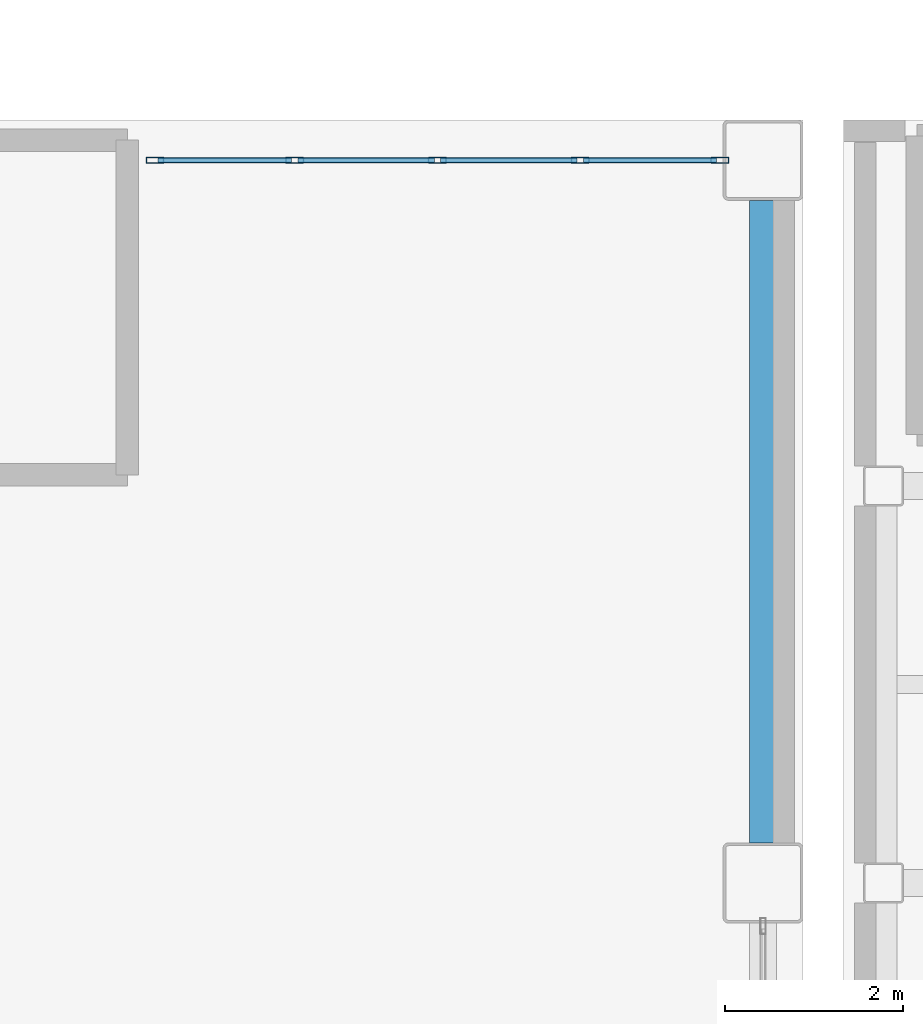
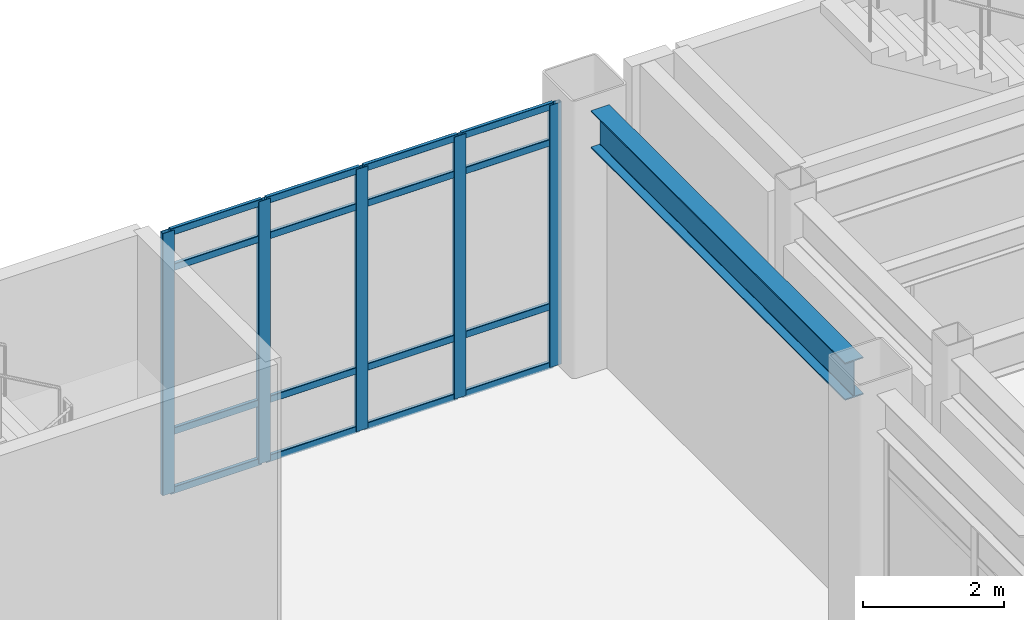
# One storey, part 73 of 172: 21 members, 1 beam, 1 element without a shape of its own.
"""IFC4 building model written with IfcOpenShell, lengths in metres."""

from ifc_helpers import new_model, si_unit, direction, frame, origin, origin_2d, place, context, subcontext, project, spatial, hollow_rectangle, i_section, extrude, material, layer, layer_set, material_profile, profile_set, type_object, element, aggregate, save


model = new_model("IFC4")

# Units and contexts
model_context = context("Model", 3, precision=1e-05, world=origin(), true_north=direction((0.0, 1.0)))
body_context = subcontext(model_context, "Body", "Model", "MODEL_VIEW")
ifc_project = project(units=[si_unit("LENGTHUNIT", "METRE"), si_unit("AREAUNIT", "SQUARE_METRE"), si_unit("VOLUMEUNIT", "CUBIC_METRE"), si_unit("PLANEANGLEUNIT", "RADIAN"), si_unit("MASSUNIT", "GRAM", prefix="KILO")], contexts=[model_context])

# Site, building, storey
site_placement = place(None, origin())
site = spatial("IfcSite", under=ifc_project, at=site_placement, CompositionType="ELEMENT")
building_placement = place(site_placement, origin())
building = spatial("IfcBuilding", under=site, at=building_placement, Name="Kazehara Bluff Congress Hotel", CompositionType="ELEMENT")
storey_placement = place(building_placement, frame((0.0, 0.0, 5.39990234375)))
storey = spatial("IfcBuildingStorey", under=building, at=storey_placement, Name="L01", CompositionType="ELEMENT", Elevation=5.39990234375)

# Curtain wall, members
ifc_material_1 = material(Name="Anodised aluminium", Category="aluminium")
ifc_layer = layer(ifc_material_1, 0.159912109375)
ifc_layer_set = layer_set([ifc_layer], Name="Anodised aluminium")
curtain_wall_type = type_object("IfcCurtainWallType", Name="TP-CW-09", PredefinedType="NOTDEFINED", material=ifc_layer_set)
curtain_wall_placement = place(storey_placement, origin())
curtain_wall = element("IfcCurtainWall", 1, at=curtain_wall_placement, inside=storey, type_object=curtain_wall_type, Name="L01 curtain wall CW-09 CW-V1-L01-Y11355-5150", PredefinedType="NOTDEFINED")
ifc_material_2 = material(Name="Anodised aluminium", Category="aluminium")
ifc_material_profile_1 = material_profile(ifc_material_2, hollow_rectangle(XDim=0.070068359375, YDim=0.199951171875, WallThickness=0.0048828125, InnerFilletRadius=0.0048828125, OuterFilletRadius=0.010009765625, at=origin_2d()))
ifc_profile_set_1 = profile_set([ifc_material_profile_1], Name="Anodised aluminium")
member_type_1 = type_object("IfcMemberType", Name="TP-CWM-03", PredefinedType="MULLION", material=ifc_profile_set_1)
member_1_placement = place(storey_placement, frame((51.534912109375, 113.550048828125, 0.0), z_axis=(0.0, 0.0, 1.0), x_axis=(0.0, 1.0, 0.0)))
member_1 = element("IfcMember", 2, at=member_1_placement, type_object=member_type_1, Name="CW-09 mullion 1", PredefinedType="MULLION", context=body_context, shape_type="SweptSolid", body=[
    extrude(hollow_rectangle(XDim=0.070068359375, YDim=0.199951171875, WallThickness=0.0048828125, InnerFilletRadius=0.0048828125, OuterFilletRadius=0.010009765625, at=origin_2d()), origin(), (0.0, 0.0, 1.0), 4.53515625),
])
member_2_placement = place(storey_placement, frame((53.10009765625, 113.550048828125, 0.0), z_axis=(0.0, 0.0, 1.0), x_axis=(0.0, 1.0, 0.0)))
member_2 = element("IfcMember", 3, at=member_2_placement, type_object=member_type_1, Name="CW-09 mullion 2", PredefinedType="MULLION", context=body_context, shape_type="SweptSolid", body=[
    extrude(hollow_rectangle(XDim=0.070068359375, YDim=0.199951171875, WallThickness=0.0048828125, InnerFilletRadius=0.0048828125, OuterFilletRadius=0.010009765625, at=origin_2d()), origin(), (0.0, 0.0, 1.0), 4.53515625),
])
member_3_placement = place(storey_placement, frame((54.699951171875, 113.550048828125, 0.0), z_axis=(0.0, 0.0, 1.0), x_axis=(0.0, 1.0, 0.0)))
member_3 = element("IfcMember", 4, at=member_3_placement, type_object=member_type_1, Name="CW-09 mullion 3", PredefinedType="MULLION", context=body_context, shape_type="SweptSolid", body=[
    extrude(hollow_rectangle(XDim=0.070068359375, YDim=0.199951171875, WallThickness=0.0048828125, InnerFilletRadius=0.0048828125, OuterFilletRadius=0.010009765625, at=origin_2d()), origin(), (0.0, 0.0, 1.0), 4.53515625),
])
member_4_placement = place(storey_placement, frame((56.300048828125, 113.550048828125, 0.0), z_axis=(0.0, 0.0, 1.0), x_axis=(0.0, 1.0, 0.0)))
member_4 = element("IfcMember", 5, at=member_4_placement, type_object=member_type_1, Name="CW-09 mullion 4", PredefinedType="MULLION", context=body_context, shape_type="SweptSolid", body=[
    extrude(hollow_rectangle(XDim=0.070068359375, YDim=0.199951171875, WallThickness=0.0048828125, InnerFilletRadius=0.0048828125, OuterFilletRadius=0.010009765625, at=origin_2d()), origin(), (0.0, 0.0, 1.0), 4.53515625),
])
member_5_placement = place(storey_placement, frame((57.864990234375, 113.550048828125, 0.0), z_axis=(0.0, 0.0, 1.0), x_axis=(0.0, 1.0, 0.0)))
member_5 = element("IfcMember", 6, at=member_5_placement, type_object=member_type_1, Name="CW-09 mullion 5", PredefinedType="MULLION", context=body_context, shape_type="SweptSolid", body=[
    extrude(hollow_rectangle(XDim=0.070068359375, YDim=0.199951171875, WallThickness=0.0048828125, InnerFilletRadius=0.0048828125, OuterFilletRadius=0.010009765625, at=origin_2d()), origin(), (0.0, 0.0, 1.0), 4.53515625),
])
ifc_material_3 = material(Name="Anodised aluminium", Category="aluminium")
ifc_material_profile_2 = material_profile(ifc_material_3, hollow_rectangle(XDim=0.06005859375, YDim=0.1201171875, WallThickness=0.00390625, InnerFilletRadius=0.00390625, OuterFilletRadius=0.008056640625, at=origin_2d()))
ifc_profile_set_2 = profile_set([ifc_material_profile_2], Name="Anodised aluminium")
member_type_2 = type_object("IfcMemberType", Name="TP-CWT-01", PredefinedType="USERDEFINED", material=ifc_profile_set_2)
member_6_placement = place(storey_placement, frame((51.570068359375, 113.550048828125, 0.030029296875), z_axis=(1.0, 0.0, 0.0), x_axis=(0.0, 1.0, 0.0)))
member_6 = element("IfcMember", 7, at=member_6_placement, type_object=member_type_2, Name="CW-09 transom 1.1", ObjectType="TRANSOM", PredefinedType="USERDEFINED", context=body_context, shape_type="SweptSolid", body=[
    extrude(hollow_rectangle(XDim=0.06005859375, YDim=0.1201171875, WallThickness=0.00390625, InnerFilletRadius=0.00390625, OuterFilletRadius=0.008056640625, at=origin_2d()), origin(), (0.0, 0.0, 1.0), 1.494873046875),
])
member_7_placement = place(storey_placement, frame((51.570068359375, 113.550048828125, 1.050048828125), z_axis=(1.0, 0.0, 0.0), x_axis=(0.0, 1.0, 0.0)))
member_7 = element("IfcMember", 8, at=member_7_placement, type_object=member_type_2, Name="CW-09 transom 1.2", ObjectType="TRANSOM", PredefinedType="USERDEFINED", context=body_context, shape_type="SweptSolid", body=[
    extrude(hollow_rectangle(XDim=0.06005859375, YDim=0.1201171875, WallThickness=0.00390625, InnerFilletRadius=0.00390625, OuterFilletRadius=0.008056640625, at=origin_2d()), origin(), (0.0, 0.0, 1.0), 1.494873046875),
])
member_8_placement = place(storey_placement, frame((51.570068359375, 113.550048828125, 3.885009765625), z_axis=(1.0, 0.0, 0.0), x_axis=(0.0, 1.0, 0.0)))
member_8 = element("IfcMember", 9, at=member_8_placement, type_object=member_type_2, Name="CW-09 transom 1.3", ObjectType="TRANSOM", PredefinedType="USERDEFINED", context=body_context, shape_type="SweptSolid", body=[
    extrude(hollow_rectangle(XDim=0.06005859375, YDim=0.1201171875, WallThickness=0.00390625, InnerFilletRadius=0.00390625, OuterFilletRadius=0.008056640625, at=origin_2d()), origin(), (0.0, 0.0, 1.0), 1.494873046875),
])
member_9_placement = place(storey_placement, frame((51.570068359375, 113.550048828125, 4.505126953125), z_axis=(1.0, 0.0, 0.0), x_axis=(0.0, 1.0, 0.0)))
member_9 = element("IfcMember", 10, at=member_9_placement, type_object=member_type_2, Name="CW-09 transom 1.4", ObjectType="TRANSOM", PredefinedType="USERDEFINED", context=body_context, shape_type="SweptSolid", body=[
    extrude(hollow_rectangle(XDim=0.06005859375, YDim=0.1201171875, WallThickness=0.00390625, InnerFilletRadius=0.00390625, OuterFilletRadius=0.008056640625, at=origin_2d()), origin(), (0.0, 0.0, 1.0), 1.494873046875),
])
member_10_placement = place(storey_placement, frame((53.135009765625, 113.550048828125, 0.030029296875), z_axis=(1.0, 0.0, 0.0), x_axis=(0.0, 1.0, 0.0)))
member_10 = element("IfcMember", 11, at=member_10_placement, type_object=member_type_2, Name="CW-09 transom 2.1", ObjectType="TRANSOM", PredefinedType="USERDEFINED", context=body_context, shape_type="SweptSolid", body=[
    extrude(hollow_rectangle(XDim=0.06005859375, YDim=0.1201171875, WallThickness=0.00390625, InnerFilletRadius=0.00390625, OuterFilletRadius=0.008056640625, at=origin_2d()), origin(), (0.0, 0.0, 1.0), 1.530029296875),
])
member_11_placement = place(storey_placement, frame((53.135009765625, 113.550048828125, 1.050048828125), z_axis=(1.0, 0.0, 0.0), x_axis=(0.0, 1.0, 0.0)))
member_11 = element("IfcMember", 12, at=member_11_placement, type_object=member_type_2, Name="CW-09 transom 2.2", ObjectType="TRANSOM", PredefinedType="USERDEFINED", context=body_context, shape_type="SweptSolid", body=[
    extrude(hollow_rectangle(XDim=0.06005859375, YDim=0.1201171875, WallThickness=0.00390625, InnerFilletRadius=0.00390625, OuterFilletRadius=0.008056640625, at=origin_2d()), origin(), (0.0, 0.0, 1.0), 1.530029296875),
])
member_12_placement = place(storey_placement, frame((53.135009765625, 113.550048828125, 3.885009765625), z_axis=(1.0, 0.0, 0.0), x_axis=(0.0, 1.0, 0.0)))
member_12 = element("IfcMember", 13, at=member_12_placement, type_object=member_type_2, Name="CW-09 transom 2.3", ObjectType="TRANSOM", PredefinedType="USERDEFINED", context=body_context, shape_type="SweptSolid", body=[
    extrude(hollow_rectangle(XDim=0.06005859375, YDim=0.1201171875, WallThickness=0.00390625, InnerFilletRadius=0.00390625, OuterFilletRadius=0.008056640625, at=origin_2d()), origin(), (0.0, 0.0, 1.0), 1.530029296875),
])
member_13_placement = place(storey_placement, frame((53.135009765625, 113.550048828125, 4.505126953125), z_axis=(1.0, 0.0, 0.0), x_axis=(0.0, 1.0, 0.0)))
member_13 = element("IfcMember", 14, at=member_13_placement, type_object=member_type_2, Name="CW-09 transom 2.4", ObjectType="TRANSOM", PredefinedType="USERDEFINED", context=body_context, shape_type="SweptSolid", body=[
    extrude(hollow_rectangle(XDim=0.06005859375, YDim=0.1201171875, WallThickness=0.00390625, InnerFilletRadius=0.00390625, OuterFilletRadius=0.008056640625, at=origin_2d()), origin(), (0.0, 0.0, 1.0), 1.530029296875),
])
member_14_placement = place(storey_placement, frame((54.735107421875, 113.550048828125, 0.030029296875), z_axis=(1.0, 0.0, 0.0), x_axis=(0.0, 1.0, 0.0)))
member_14 = element("IfcMember", 15, at=member_14_placement, type_object=member_type_2, Name="CW-09 transom 3.1", ObjectType="TRANSOM", PredefinedType="USERDEFINED", context=body_context, shape_type="SweptSolid", body=[
    extrude(hollow_rectangle(XDim=0.06005859375, YDim=0.1201171875, WallThickness=0.00390625, InnerFilletRadius=0.00390625, OuterFilletRadius=0.008056640625, at=origin_2d()), origin(), (0.0, 0.0, 1.0), 1.52978515625),
])
member_15_placement = place(storey_placement, frame((54.735107421875, 113.550048828125, 1.050048828125), z_axis=(1.0, 0.0, 0.0), x_axis=(0.0, 1.0, 0.0)))
member_15 = element("IfcMember", 16, at=member_15_placement, type_object=member_type_2, Name="CW-09 transom 3.2", ObjectType="TRANSOM", PredefinedType="USERDEFINED", context=body_context, shape_type="SweptSolid", body=[
    extrude(hollow_rectangle(XDim=0.06005859375, YDim=0.1201171875, WallThickness=0.00390625, InnerFilletRadius=0.00390625, OuterFilletRadius=0.008056640625, at=origin_2d()), origin(), (0.0, 0.0, 1.0), 1.52978515625),
])
member_16_placement = place(storey_placement, frame((54.735107421875, 113.550048828125, 3.885009765625), z_axis=(1.0, 0.0, 0.0), x_axis=(0.0, 1.0, 0.0)))
member_16 = element("IfcMember", 17, at=member_16_placement, type_object=member_type_2, Name="CW-09 transom 3.3", ObjectType="TRANSOM", PredefinedType="USERDEFINED", context=body_context, shape_type="SweptSolid", body=[
    extrude(hollow_rectangle(XDim=0.06005859375, YDim=0.1201171875, WallThickness=0.00390625, InnerFilletRadius=0.00390625, OuterFilletRadius=0.008056640625, at=origin_2d()), origin(), (0.0, 0.0, 1.0), 1.52978515625),
])
member_17_placement = place(storey_placement, frame((54.735107421875, 113.550048828125, 4.505126953125), z_axis=(1.0, 0.0, 0.0), x_axis=(0.0, 1.0, 0.0)))
member_17 = element("IfcMember", 18, at=member_17_placement, type_object=member_type_2, Name="CW-09 transom 3.4", ObjectType="TRANSOM", PredefinedType="USERDEFINED", context=body_context, shape_type="SweptSolid", body=[
    extrude(hollow_rectangle(XDim=0.06005859375, YDim=0.1201171875, WallThickness=0.00390625, InnerFilletRadius=0.00390625, OuterFilletRadius=0.008056640625, at=origin_2d()), origin(), (0.0, 0.0, 1.0), 1.52978515625),
])
member_18_placement = place(storey_placement, frame((56.3349609375, 113.550048828125, 0.030029296875), z_axis=(1.0, 0.0, 0.0), x_axis=(0.0, 1.0, 0.0)))
member_18 = element("IfcMember", 19, at=member_18_placement, type_object=member_type_2, Name="CW-09 transom 4.1", ObjectType="TRANSOM", PredefinedType="USERDEFINED", context=body_context, shape_type="SweptSolid", body=[
    extrude(hollow_rectangle(XDim=0.06005859375, YDim=0.1201171875, WallThickness=0.00390625, InnerFilletRadius=0.00390625, OuterFilletRadius=0.008056640625, at=origin_2d()), origin(), (0.0, 0.0, 1.0), 1.4951171875),
])
member_19_placement = place(storey_placement, frame((56.3349609375, 113.550048828125, 1.050048828125), z_axis=(1.0, 0.0, 0.0), x_axis=(0.0, 1.0, 0.0)))
member_19 = element("IfcMember", 20, at=member_19_placement, type_object=member_type_2, Name="CW-09 transom 4.2", ObjectType="TRANSOM", PredefinedType="USERDEFINED", context=body_context, shape_type="SweptSolid", body=[
    extrude(hollow_rectangle(XDim=0.06005859375, YDim=0.1201171875, WallThickness=0.00390625, InnerFilletRadius=0.00390625, OuterFilletRadius=0.008056640625, at=origin_2d()), origin(), (0.0, 0.0, 1.0), 1.4951171875),
])
member_20_placement = place(storey_placement, frame((56.3349609375, 113.550048828125, 3.885009765625), z_axis=(1.0, 0.0, 0.0), x_axis=(0.0, 1.0, 0.0)))
member_20 = element("IfcMember", 21, at=member_20_placement, type_object=member_type_2, Name="CW-09 transom 4.3", ObjectType="TRANSOM", PredefinedType="USERDEFINED", context=body_context, shape_type="SweptSolid", body=[
    extrude(hollow_rectangle(XDim=0.06005859375, YDim=0.1201171875, WallThickness=0.00390625, InnerFilletRadius=0.00390625, OuterFilletRadius=0.008056640625, at=origin_2d()), origin(), (0.0, 0.0, 1.0), 1.4951171875),
])
member_21_placement = place(storey_placement, frame((56.3349609375, 113.550048828125, 4.505126953125), z_axis=(1.0, 0.0, 0.0), x_axis=(0.0, 1.0, 0.0)))
member_21 = element("IfcMember", 22, at=member_21_placement, type_object=member_type_2, Name="CW-09 transom 4.4", ObjectType="TRANSOM", PredefinedType="USERDEFINED", context=body_context, shape_type="SweptSolid", body=[
    extrude(hollow_rectangle(XDim=0.06005859375, YDim=0.1201171875, WallThickness=0.00390625, InnerFilletRadius=0.00390625, OuterFilletRadius=0.008056640625, at=origin_2d()), origin(), (0.0, 0.0, 1.0), 1.4951171875),
])
aggregate(curtain_wall, [member_1, member_2, member_3, member_4, member_5, member_6, member_7, member_8, member_9, member_10, member_11, member_12, member_13, member_14, member_15, member_16, member_17, member_18, member_19, member_20, member_21])

# Beam
ifc_material_4 = material(Name="Steel SN490B", Category="steel")
ifc_material_profile_3 = material_profile(ifc_material_4, i_section(OverallWidth=0.300048828125, OverallDepth=0.64990234375, WebThickness=0.011962890625, FlangeThickness=0.02001953125, FilletRadius=0.012939453125, at=origin_2d()))
ifc_profile_set_3 = profile_set([ifc_material_profile_3], Name="Steel SN490B")
beam_type = type_object("IfcBeamType", Name="TP-G-03", PredefinedType="BEAM", material=ifc_profile_set_3)
beam_placement = place(storey_placement, frame((58.35009765625, 105.89990234375, 4.22509765625), z_axis=(0.0, 1.0, 0.0), x_axis=(-1.0, 0.0, 0.0)))
element("IfcBeam", 23, at=beam_placement, inside=storey, type_object=beam_type, Name="L01 girder G-03 24", PredefinedType="BEAM", context=body_context, shape_type="SweptSolid", body=[
    extrude(i_section(OverallWidth=0.300048828125, OverallDepth=0.64990234375, WebThickness=0.011962890625, FlangeThickness=0.02001953125, FilletRadius=0.012939453125, at=origin_2d()), origin(), (0.0, 0.0, 1.0), 7.2001953125),
])

save(model, "model.ifc")
